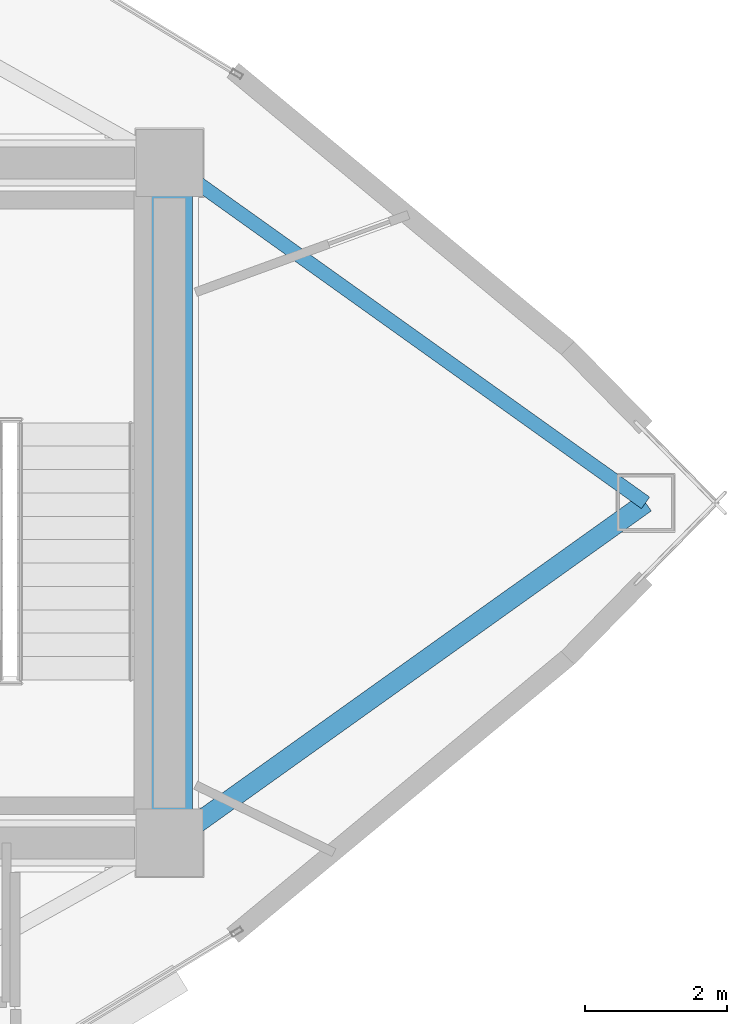
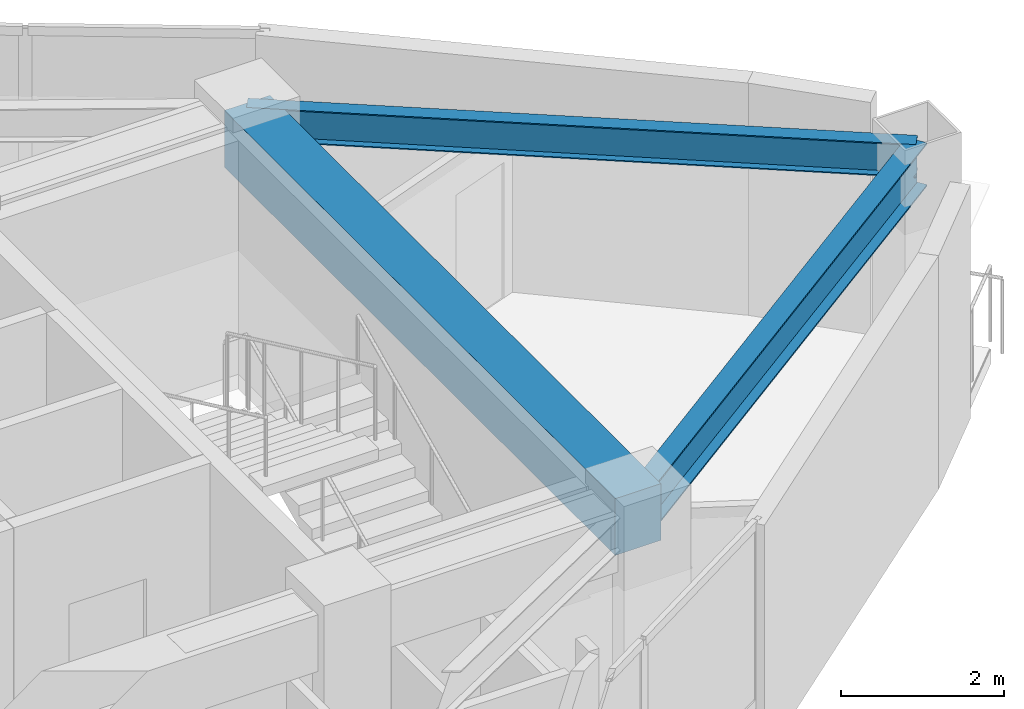
# One storey, part 6 of 16: 3 beams.
"""IFC4 building model written with IfcOpenShell, lengths in metres."""

from ifc_helpers import new_model, si_unit, direction, frame, origin, origin_2d, place, context, subcontext, project, spatial, rectangle, i_section, extrude, material, material_profile, profile_set, type_object, element, save


model = new_model("IFC4")

# Units and contexts
model_context = context("Model", 3, precision=1e-05, world=origin(), true_north=direction((0.0, 1.0)))
body_context = subcontext(model_context, "Body", "Model", "MODEL_VIEW")
ifc_project = project(units=[si_unit("LENGTHUNIT", "METRE"), si_unit("AREAUNIT", "SQUARE_METRE"), si_unit("VOLUMEUNIT", "CUBIC_METRE"), si_unit("PLANEANGLEUNIT", "RADIAN"), si_unit("MASSUNIT", "GRAM", prefix="KILO")], contexts=[model_context])

# Site, building, storey
site_placement = place(None, origin())
site = spatial("IfcSite", under=ifc_project, at=site_placement, CompositionType="ELEMENT")
building_placement = place(site_placement, origin())
building = spatial("IfcBuilding", under=site, at=building_placement, Name="Menara Vayukalpa", CompositionType="ELEMENT")
storey_placement = place(building_placement, frame((0.0, 0.0, 280.6201171875)))
storey = spatial("IfcBuildingStorey", under=building, at=storey_placement, Name="L71", CompositionType="ELEMENT", Elevation=280.6201171875)

# Beams
ifc_material_1 = material(Name="Concrete C60/75", Category="concrete")
ifc_material_profile_1 = material_profile(ifc_material_1, rectangle(XDim=0.64990234375, YDim=0.85009765625, at=origin_2d()), Name="RC 650x850")
ifc_profile_set_1 = profile_set([ifc_material_profile_1], Name="Concrete C60/75")
beam_type_1 = type_object("IfcBeamType", Name="BM-CB1", PredefinedType="BEAM", material=ifc_profile_set_1)
beam_1_placement = place(storey_placement, frame((33.39990234375, 17.199951171875, 3.074951171875), z_axis=(0.0, 1.0, 0.0), x_axis=(-1.0, 0.0, 0.0)))
element("IfcBeam", 1, at=beam_1_placement, inside=storey, type_object=beam_type_1, Name="L71 Core Tie Beam CBR8", PredefinedType="BEAM", context=body_context, shape_type="SweptSolid", body=[
    extrude(rectangle(XDim=0.64990234375, YDim=0.85009765625, at=origin_2d()), origin(), (0.0, 0.0, 1.0), 9.60009765625),
])
ifc_material_2 = material(Name="Steel S355", Category="steel")
ifc_material_profile_2 = material_profile(ifc_material_2, i_section(OverallWidth=0.280029296875, OverallDepth=0.64990234375, WebThickness=0.012939453125, FlangeThickness=0.02197265625, at=origin_2d()), Name="WF 650x280x13x22")
ifc_profile_set_2 = profile_set([ifc_material_profile_2], Name="Steel S355")
beam_type_2 = type_object("IfcBeamType", Name="BM-PG6", PredefinedType="BEAM", material=ifc_profile_set_2)
beam_2_placement = place(storey_placement, frame((33.603515625, 17.34521484375, 3.1748046875), z_axis=(0.813801429135, 0.581143040859, 0.0), x_axis=(-0.581143040859, 0.813801429135, 0.0)))
element("IfcBeam", 2, at=beam_2_placement, inside=storey, type_object=beam_type_2, Name="L71 Primary Radial Girder RG01", PredefinedType="BEAM", context=body_context, shape_type="SweptSolid", body=[
    extrude(i_section(OverallWidth=0.280029296875, OverallDepth=0.64990234375, WebThickness=0.012939453125, FlangeThickness=0.02197265625, at=origin_2d()), origin(), (0.0, 0.0, 1.0), 8.009765625),
])
ifc_material_3 = material(Name="Steel S355", Category="steel")
ifc_material_profile_3 = material_profile(ifc_material_3, i_section(OverallWidth=0.199951171875, OverallDepth=0.5, WebThickness=0.010009765625, FlangeThickness=0.01611328125, at=origin_2d()), Name="WF 500x200x10x16")
ifc_profile_set_3 = profile_set([ifc_material_profile_3], Name="Steel S355")
beam_type_3 = type_object("IfcBeamType", Name="BM-SP3", PredefinedType="SPANDREL", material=ifc_profile_set_3)
beam_3_placement = place(storey_placement, frame((40.121826171875, 22.0, 3.25), z_axis=(-0.813809355401, 0.581131941181, 0.0), x_axis=(-0.581131941181, -0.813809355401, 0.0)))
element("IfcBeam", 3, at=beam_3_placement, inside=storey, type_object=beam_type_3, Name="L71 Perimeter Spandrel Beam SP01", PredefinedType="SPANDREL", context=body_context, shape_type="SweptSolid", body=[
    extrude(i_section(OverallWidth=0.199951171875, OverallDepth=0.5, WebThickness=0.010009765625, FlangeThickness=0.01611328125, at=origin_2d()), origin(), (0.0, 0.0, 1.0), 8.259765625),
])

save(model, "model.ifc")
